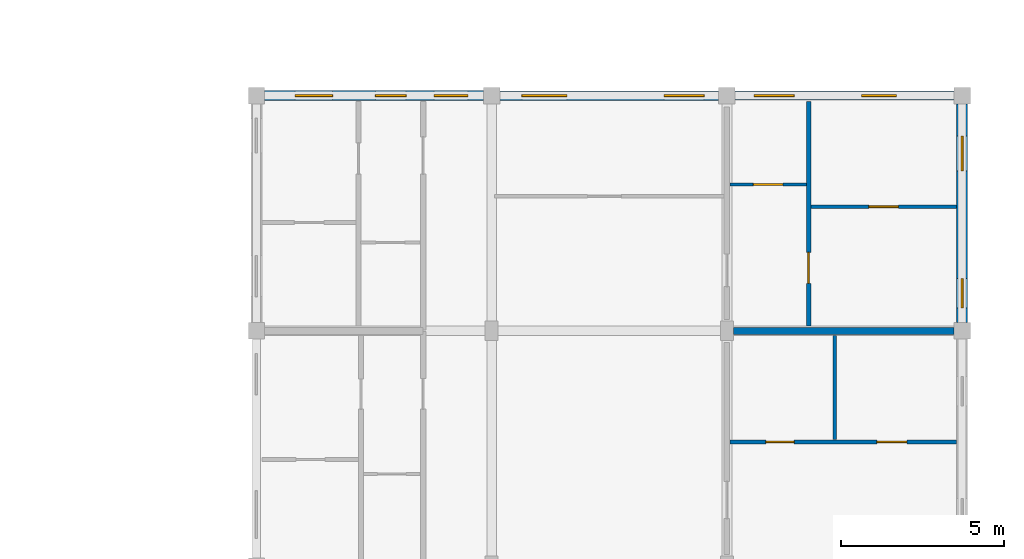
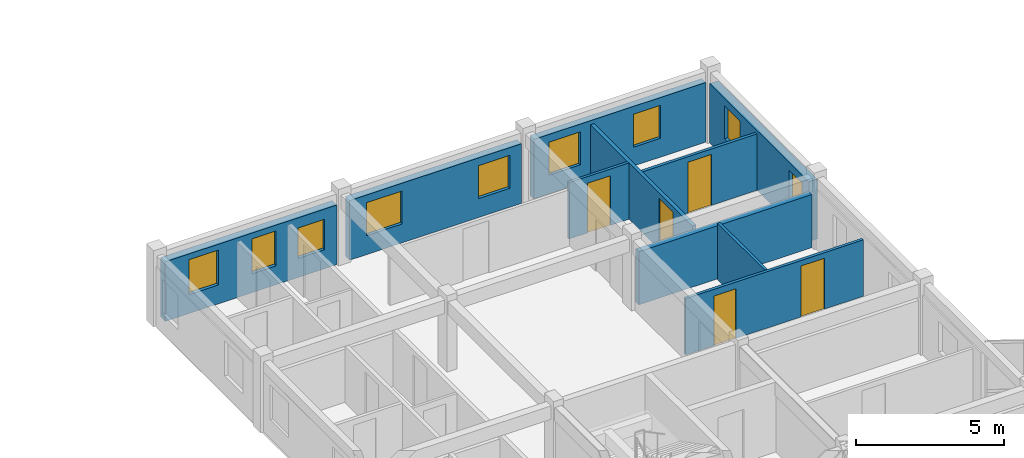
# One storey, part 54 of 65: 10 walls, 9 windows, 5 doors, 14 openings.
"""IFC4 building model written with IfcOpenShell, lengths in metres."""

from ifc_helpers import new_model, si_unit, direction, frame, frame_2d, origin, place, context, subcontext, project, spatial, rectangle, extrude, material, layer, layer_set, type_object, element, fill, save


model = new_model("IFC4")

# Units and contexts
model_context = context("Model", 3, precision=1e-05, world=origin(), true_north=direction((0.0, 1.0)))
body_context = subcontext(model_context, "Body", "Model", "MODEL_VIEW")
ifc_project = project(units=[si_unit("LENGTHUNIT", "METRE"), si_unit("AREAUNIT", "SQUARE_METRE"), si_unit("VOLUMEUNIT", "CUBIC_METRE"), si_unit("PLANEANGLEUNIT", "RADIAN"), si_unit("MASSUNIT", "GRAM", prefix="KILO"), si_unit("THERMODYNAMICTEMPERATUREUNIT", "KELVIN"), si_unit("POWERUNIT", "WATT")], contexts=[model_context])

# Site, building, storey
site_placement = place(None, origin())
site = spatial("IfcSite", under=ifc_project, at=site_placement, CompositionType="ELEMENT")
building_placement = place(site_placement, origin())
building = spatial("IfcBuilding", under=site, at=building_placement, Name="Tavuni Mirador Residences", CompositionType="ELEMENT")
storey_placement = place(building_placement, frame((0.0, 0.0, 29.699951171875)))
storey = spatial("IfcBuildingStorey", under=building, at=storey_placement, Name="L09", CompositionType="ELEMENT", Elevation=29.699951171875)

# Wall, openings, windows
ifc_material_1 = material(Name="Precast concrete C40/50", Category="concrete")
ifc_layer_1 = layer(ifc_material_1, 0.330078125, Name="Precast concrete C40/50", Category="concrete")
ifc_layer_set_1 = layer_set([ifc_layer_1], Name="Precast concrete C40/50")
wall_type_1 = type_object("IfcWallType", Name="WT-EXT-COR330", PredefinedType="SOLIDWALL", material=ifc_layer_set_1)
wall_1_placement = place(storey_placement, frame((118.800048828125, 122.64990234375, 0.0), z_axis=(0.0, 0.0, 1.0), x_axis=(0.0, 1.0, 0.0)))
wall_1 = element("IfcWall", 1, at=wall_1_placement, inside=storey, type_object=wall_type_1, Name="EW-BLK-D-L09-E05", PredefinedType="SOLIDWALL", context=body_context, shape_type="SweptSolid", body=[
    extrude(rectangle(XDim=6.7001953125, YDim=0.330078125, at=frame_2d((3.35009765625, 0.0))), origin(), (0.0, 0.0, 1.0), 2.4599609375),
])
opening_1_placement = place(wall_1_placement, frame((0.449951171875, 0.0, 0.780029296875)))
opening_1 = element("IfcOpeningElement", 2, at=opening_1_placement, cuts=wall_1, Name="Opening WN-17", PredefinedType="OPENING", context=body_context, shape_type="SweptSolid", body=[
    extrude(rectangle(XDim=0.89990234375, YDim=1.360107421875, at=frame_2d((0.449951171875, 0.68017578125))), frame((0.0, 0.175048828125, 0.0), z_axis=(0.0, -1.0, 0.0), x_axis=(1.0, 0.0, 0.0)), (0.0, 0.0, 1.0), 0.35009765625),
])
opening_2_placement = place(wall_1_placement, frame((4.64990234375, 0.0, 0.780029296875)))
opening_2 = element("IfcOpeningElement", 3, at=opening_2_placement, cuts=wall_1, Name="Opening WN-19", PredefinedType="OPENING", context=body_context, shape_type="SweptSolid", body=[
    extrude(rectangle(XDim=1.06005859375, YDim=1.360107421875, at=frame_2d((0.530029296875, 0.68017578125))), frame((0.0, 0.175048828125, 0.0), z_axis=(0.0, -1.0, 0.0), x_axis=(1.0, 0.0, 0.0)), (0.0, 0.0, 1.0), 0.35009765625),
])
ifc_material_2 = material(Name="Laminated solar-control glass", Category="glass")
window_type_1 = type_object("IfcWindowType", Name="WNT-17", PartitioningType="SINGLE_PANEL", PredefinedType="WINDOW", material=ifc_material_2)
window_1_placement = place(opening_1_placement, origin())
window_1 = element("IfcWindow", 4, at=window_1_placement, inside=storey, type_object=window_type_1, Name="WIN-1777", OverallHeight=1.360107421875, OverallWidth=0.89990234375, PartitioningType="SINGLE_PANEL", PredefinedType="WINDOW", context=body_context, shape_type="SweptSolid", body=[
    extrude(rectangle(XDim=0.89990234375, YDim=1.360107421875, at=frame_2d((0.449951171875, 0.68017578125))), frame((0.0, 0.030029296875, 0.0), z_axis=(0.0, -1.0, 0.0), x_axis=(1.0, 0.0, 0.0)), (0.0, 0.0, 1.0), 0.06005859375),
])
fill(opening_1, window_1)
window_type_2 = type_object("IfcWindowType", Name="WNT-19", PartitioningType="SINGLE_PANEL", PredefinedType="WINDOW", material=ifc_material_2)
window_2_placement = place(opening_2_placement, origin())
window_2 = element("IfcWindow", 5, at=window_2_placement, inside=storey, type_object=window_type_2, Name="WIN-1778", OverallHeight=1.360107421875, OverallWidth=1.06005859375, PartitioningType="SINGLE_PANEL", PredefinedType="WINDOW", context=body_context, shape_type="SweptSolid", body=[
    extrude(rectangle(XDim=1.06005859375, YDim=1.360107421875, at=frame_2d((0.530029296875, 0.68017578125))), frame((0.0, 0.030029296875, 0.0), z_axis=(0.0, -1.0, 0.0), x_axis=(1.0, 0.0, 0.0)), (0.0, 0.0, 1.0), 0.06005859375),
])
fill(opening_2, window_2)

ifc_material_3 = material(Name="Sgraffito lime-rendered precast concrete C40/50", Category="concrete")
ifc_layer_2 = layer(ifc_material_3, 0.27490234375, Name="Sgraffito lime-rendered precast concrete C40/50", Category="concrete")
ifc_layer_set_2 = layer_set([ifc_layer_2], Name="Sgraffito lime-rendered precast concrete C40/50")
wall_type_2 = type_object("IfcWallType", Name="WT-EXT-PC275", PredefinedType="SOLIDWALL", material=ifc_layer_set_2)
wall_2_placement = place(storey_placement, frame((118.550048828125, 129.60009765625, 0.0), z_axis=(0.0, 0.0, 1.0), x_axis=(-1.0, 0.0, 0.0)))
wall_2 = element("IfcWall", 6, at=wall_2_placement, inside=storey, type_object=wall_type_2, Name="EW-BLK-D-L09-N02", PredefinedType="SOLIDWALL", context=body_context, shape_type="SweptSolid", body=[
    extrude(rectangle(XDim=6.699951171875, YDim=0.27490234375, at=frame_2d((3.35009765625, 0.0))), origin(), (0.0, 0.0, 1.0), 2.4599609375),
])
opening_3_placement = place(wall_2_placement, frame((1.764892578125, 0.0, 0.780029296875)))
opening_3 = element("IfcOpeningElement", 7, at=opening_3_placement, cuts=wall_2, Name="Opening WN-19", PredefinedType="OPENING", context=body_context, shape_type="SweptSolid", body=[
    extrude(rectangle(XDim=1.06005859375, YDim=1.360107421875, at=frame_2d((0.530029296875, 0.68017578125))), frame((0.0, 0.1474609375, 0.0), z_axis=(0.0, -1.0, 0.0), x_axis=(1.0, 0.0, 0.0)), (0.0, 0.0, 1.0), 0.294921875),
])
opening_4_placement = place(wall_2_placement, frame((4.89501953125, 0.0, 0.780029296875)))
opening_4 = element("IfcOpeningElement", 8, at=opening_4_placement, cuts=wall_2, Name="Opening WN-21", PredefinedType="OPENING", context=body_context, shape_type="SweptSolid", body=[
    extrude(rectangle(XDim=1.219970703125, YDim=1.360107421875, at=frame_2d((0.60986328125, 0.68017578125))), frame((0.0, 0.1474609375, 0.0), z_axis=(0.0, -1.0, 0.0), x_axis=(1.0, 0.0, 0.0)), (0.0, 0.0, 1.0), 0.294921875),
])
window_3_placement = place(opening_3_placement, origin())
window_3 = element("IfcWindow", 9, at=window_3_placement, inside=storey, type_object=window_type_2, Name="WIN-1779", OverallHeight=1.360107421875, OverallWidth=1.06005859375, PartitioningType="SINGLE_PANEL", PredefinedType="WINDOW", context=body_context, shape_type="SweptSolid", body=[
    extrude(rectangle(XDim=1.06005859375, YDim=1.360107421875, at=frame_2d((0.530029296875, 0.68017578125))), frame((0.0, 0.030029296875, 0.0), z_axis=(0.0, -1.0, 0.0), x_axis=(1.0, 0.0, 0.0)), (0.0, 0.0, 1.0), 0.06005859375),
])
fill(opening_3, window_3)
window_type_3 = type_object("IfcWindowType", Name="WNT-21", PartitioningType="SINGLE_PANEL", PredefinedType="WINDOW", material=ifc_material_2)
window_4_placement = place(opening_4_placement, origin())
window_4 = element("IfcWindow", 10, at=window_4_placement, inside=storey, type_object=window_type_3, Name="WIN-1780", OverallHeight=1.360107421875, OverallWidth=1.219970703125, PartitioningType="SINGLE_PANEL", PredefinedType="WINDOW", context=body_context, shape_type="SweptSolid", body=[
    extrude(rectangle(XDim=1.219970703125, YDim=1.360107421875, at=frame_2d((0.60986328125, 0.68017578125))), frame((0.0, 0.030029296875, 0.0), z_axis=(0.0, -1.0, 0.0), x_axis=(1.0, 0.0, 0.0)), (0.0, 0.0, 1.0), 0.06005859375),
])
fill(opening_4, window_4)

ifc_layer_3 = layer(ifc_material_3, 0.2900390625, Name="Sgraffito lime-rendered precast concrete C40/50", Category="concrete")
ifc_layer_set_3 = layer_set([ifc_layer_3], Name="Sgraffito lime-rendered precast concrete C40/50")
wall_type_3 = type_object("IfcWallType", Name="WT-EXT-PC290", PredefinedType="SOLIDWALL", material=ifc_layer_set_3)
wall_3_placement = place(storey_placement, frame((111.35009765625, 129.60009765625, 0.0), z_axis=(0.0, 0.0, 1.0), x_axis=(-1.0, 0.0, 0.0)))
wall_3 = element("IfcWall", 11, at=wall_3_placement, inside=storey, type_object=wall_type_3, Name="EW-BLK-D-L09-N01", PredefinedType="SOLIDWALL", context=body_context, shape_type="SweptSolid", body=[
    extrude(rectangle(XDim=6.7001953125, YDim=0.2900390625, at=frame_2d((3.35009765625, 0.0))), origin(), (0.0, 0.0, 1.0), 2.4599609375),
])
opening_5_placement = place(wall_3_placement, frame((0.449951171875, 0.0, 0.780029296875)))
opening_5 = element("IfcOpeningElement", 12, at=opening_5_placement, cuts=wall_3, Name="Opening WN-21", PredefinedType="OPENING", context=body_context, shape_type="SweptSolid", body=[
    extrude(rectangle(XDim=1.219970703125, YDim=1.360107421875, at=frame_2d((0.60986328125, 0.68017578125))), frame((0.0, 0.155029296875, 0.0), z_axis=(0.0, -1.0, 0.0), x_axis=(1.0, 0.0, 0.0)), (0.0, 0.0, 1.0), 0.31005859375),
])
opening_6_placement = place(wall_3_placement, frame((4.64990234375, 0.0, 0.780029296875)))
opening_6 = element("IfcOpeningElement", 13, at=opening_6_placement, cuts=wall_3, Name="Opening WN-23", PredefinedType="OPENING", context=body_context, shape_type="SweptSolid", body=[
    extrude(rectangle(XDim=1.3798828125, YDim=1.360107421875, at=frame_2d((0.68994140625, 0.68017578125))), frame((0.0, 0.155029296875, 0.0), z_axis=(0.0, -1.0, 0.0), x_axis=(1.0, 0.0, 0.0)), (0.0, 0.0, 1.0), 0.31005859375),
])
window_5_placement = place(opening_5_placement, origin())
window_5 = element("IfcWindow", 14, at=window_5_placement, inside=storey, type_object=window_type_3, Name="WIN-1781", OverallHeight=1.360107421875, OverallWidth=1.219970703125, PartitioningType="SINGLE_PANEL", PredefinedType="WINDOW", context=body_context, shape_type="SweptSolid", body=[
    extrude(rectangle(XDim=1.219970703125, YDim=1.360107421875, at=frame_2d((0.60986328125, 0.68017578125))), frame((0.0, 0.030029296875, 0.0), z_axis=(0.0, -1.0, 0.0), x_axis=(1.0, 0.0, 0.0)), (0.0, 0.0, 1.0), 0.06005859375),
])
fill(opening_5, window_5)
window_type_4 = type_object("IfcWindowType", Name="WNT-23", PartitioningType="SINGLE_PANEL", PredefinedType="WINDOW", material=ifc_material_2)
window_6_placement = place(opening_6_placement, origin())
window_6 = element("IfcWindow", 15, at=window_6_placement, inside=storey, type_object=window_type_4, Name="WIN-1782", OverallHeight=1.360107421875, OverallWidth=1.3798828125, PartitioningType="SINGLE_PANEL", PredefinedType="WINDOW", context=body_context, shape_type="SweptSolid", body=[
    extrude(rectangle(XDim=1.3798828125, YDim=1.360107421875, at=frame_2d((0.68994140625, 0.68017578125))), frame((0.0, 0.030029296875, 0.0), z_axis=(0.0, -1.0, 0.0), x_axis=(1.0, 0.0, 0.0)), (0.0, 0.0, 1.0), 0.06005859375),
])
fill(opening_6, window_6)

ifc_layer_4 = layer(ifc_material_3, 0.304931640625, Name="Sgraffito lime-rendered precast concrete C40/50", Category="concrete")
ifc_layer_set_4 = layer_set([ifc_layer_4], Name="Sgraffito lime-rendered precast concrete C40/50")
wall_type_4 = type_object("IfcWallType", Name="WT-EXT-PC305", PredefinedType="SOLIDWALL", material=ifc_layer_set_4)
wall_4_placement = place(storey_placement, frame((104.14990234375, 129.60009765625, 0.0), z_axis=(0.0, 0.0, 1.0), x_axis=(-1.0, 0.0, 0.0)))
wall_4 = element("IfcWall", 16, at=wall_4_placement, inside=storey, type_object=wall_type_4, Name="EW-BLK-D-L09-N00", PredefinedType="SOLIDWALL", context=body_context, shape_type="SweptSolid", body=[
    extrude(rectangle(XDim=6.699951171875, YDim=0.304931640625, at=frame_2d((3.35009765625, 0.0))), origin(), (0.0, 0.0, 1.0), 2.4599609375),
])
opening_7_placement = place(wall_4_placement, frame((0.47509765625, 0.0, 0.780029296875)))
opening_7 = element("IfcOpeningElement", 17, at=opening_7_placement, cuts=wall_4, Name="Opening WN-11", PredefinedType="OPENING", context=body_context, shape_type="SweptSolid", body=[
    extrude(rectangle(XDim=1.0400390625, YDim=1.260009765625, at=frame_2d((0.52001953125, 0.6298828125))), frame((0.0, 0.16259765625, 0.0), z_axis=(0.0, -1.0, 0.0), x_axis=(1.0, 0.0, 0.0)), (0.0, 0.0, 1.0), 0.324951171875),
])
opening_8_placement = place(wall_4_placement, frame((2.3701171875, 0.0, 0.780029296875)))
opening_8 = element("IfcOpeningElement", 18, at=opening_8_placement, cuts=wall_4, Name="Opening WN-25", PredefinedType="OPENING", context=body_context, shape_type="SweptSolid", body=[
    extrude(rectangle(XDim=0.93994140625, YDim=1.43994140625, at=frame_2d((0.469970703125, 0.719970703125))), frame((0.0, 0.16259765625, 0.0), z_axis=(0.0, -1.0, 0.0), x_axis=(1.0, 0.0, 0.0)), (0.0, 0.0, 1.0), 0.324951171875),
])
opening_9_placement = place(wall_4_placement, frame((4.6201171875, 0.0, 0.780029296875)))
opening_9 = element("IfcOpeningElement", 19, at=opening_9_placement, cuts=wall_4, Name="Opening WN-27", PredefinedType="OPENING", context=body_context, shape_type="SweptSolid", body=[
    extrude(rectangle(XDim=1.14990234375, YDim=1.43994140625, at=frame_2d((0.574951171875, 0.719970703125))), frame((0.0, 0.16259765625, 0.0), z_axis=(0.0, -1.0, 0.0), x_axis=(1.0, 0.0, 0.0)), (0.0, 0.0, 1.0), 0.324951171875),
])
window_type_5 = type_object("IfcWindowType", Name="WNT-11", PartitioningType="SINGLE_PANEL", PredefinedType="WINDOW", material=ifc_material_2)
window_7_placement = place(opening_7_placement, origin())
window_7 = element("IfcWindow", 20, at=window_7_placement, inside=storey, type_object=window_type_5, Name="WIN-1783", OverallHeight=1.260009765625, OverallWidth=1.0400390625, PartitioningType="SINGLE_PANEL", PredefinedType="WINDOW", context=body_context, shape_type="SweptSolid", body=[
    extrude(rectangle(XDim=1.0400390625, YDim=1.260009765625, at=frame_2d((0.52001953125, 0.6298828125))), frame((0.0, 0.030029296875, 0.0), z_axis=(0.0, -1.0, 0.0), x_axis=(1.0, 0.0, 0.0)), (0.0, 0.0, 1.0), 0.06005859375),
])
fill(opening_7, window_7)
window_type_6 = type_object("IfcWindowType", Name="WNT-25", PartitioningType="SINGLE_PANEL", PredefinedType="WINDOW", material=ifc_material_2)
window_8_placement = place(opening_8_placement, origin())
window_8 = element("IfcWindow", 21, at=window_8_placement, inside=storey, type_object=window_type_6, Name="WIN-1784", OverallHeight=1.43994140625, OverallWidth=0.93994140625, PartitioningType="SINGLE_PANEL", PredefinedType="WINDOW", context=body_context, shape_type="SweptSolid", body=[
    extrude(rectangle(XDim=0.93994140625, YDim=1.43994140625, at=frame_2d((0.469970703125, 0.719970703125))), frame((0.0, 0.030029296875, 0.0), z_axis=(0.0, -1.0, 0.0), x_axis=(1.0, 0.0, 0.0)), (0.0, 0.0, 1.0), 0.06005859375),
])
fill(opening_8, window_8)
window_type_7 = type_object("IfcWindowType", Name="WNT-27", PartitioningType="SINGLE_PANEL", PredefinedType="WINDOW", material=ifc_material_2)
window_9_placement = place(opening_9_placement, origin())
window_9 = element("IfcWindow", 22, at=window_9_placement, inside=storey, type_object=window_type_7, Name="WIN-1785", OverallHeight=1.43994140625, OverallWidth=1.14990234375, PartitioningType="SINGLE_PANEL", PredefinedType="WINDOW", context=body_context, shape_type="SweptSolid", body=[
    extrude(rectangle(XDim=1.14990234375, YDim=1.43994140625, at=frame_2d((0.574951171875, 0.719970703125))), frame((0.0, 0.030029296875, 0.0), z_axis=(0.0, -1.0, 0.0), x_axis=(1.0, 0.0, 0.0)), (0.0, 0.0, 1.0), 0.06005859375),
])
fill(opening_9, window_9)

# Wall
ifc_material_4 = material(Name="Acoustic gypsum and concrete block partition", Category="concrete")
ifc_layer_5 = layer(ifc_material_4, 0.10498046875, Name="Acoustic gypsum and concrete block partition", Category="concrete")
ifc_layer_set_5 = layer_set([ifc_layer_5], Name="Acoustic gypsum and concrete block partition")
wall_type_5 = type_object("IfcWallType", Name="WT-PART105", PredefinedType="PARTITIONING", material=ifc_layer_set_5)
wall_5_placement = place(storey_placement, frame((114.89990234375, 119.070068359375, 0.0), z_axis=(0.0, 0.0, 1.0), x_axis=(0.0, 1.0, 0.0)))
element("IfcWall", 23, at=wall_5_placement, inside=storey, type_object=wall_type_5, Name="PW-BLK-D-L09-PF04-V", PredefinedType="PARTITIONING", context=body_context, shape_type="SweptSolid", body=[
    extrude(rectangle(XDim=3.18994140625, YDim=0.10498046875, at=frame_2d((1.594970703125, 0.0))), origin(), (0.0, 0.0, 1.0), 2.324951171875),
])

# Wall, opening, door
wall_6_placement = place(storey_placement, frame((111.68994140625, 126.8798828125, 0.0), z_axis=(0.0, 0.0, 1.0), x_axis=(1.0, 0.0, 0.0)))
wall_6 = element("IfcWall", 24, at=wall_6_placement, inside=storey, type_object=wall_type_5, Name="PW-BLK-D-L09-E05-IN1", PredefinedType="PARTITIONING", context=body_context, shape_type="SweptSolid", body=[
    extrude(rectangle(XDim=2.340087890625, YDim=0.10498046875, at=frame_2d((1.169921875, 0.0))), origin(), (0.0, 0.0, 1.0), 2.324951171875),
])
opening_10_placement = place(wall_6_placement, frame((0.719970703125, 0.0, 0.0)))
opening_10 = element("IfcOpeningElement", 25, at=opening_10_placement, cuts=wall_6, Name="Opening D-09", PredefinedType="OPENING", context=body_context, shape_type="SweptSolid", body=[
    extrude(rectangle(XDim=0.89990234375, YDim=2.050048828125, at=frame_2d((0.449951171875, 1.02490234375))), frame((0.0, 0.0625, 0.0), z_axis=(0.0, -1.0, 0.0), x_axis=(1.0, 0.0, 0.0)), (0.0, 0.0, 1.0), 0.125),
])
ifc_material_5 = material(Name="Solid core iroko timber", Category="wood")
door_type_1 = type_object("IfcDoorType", Name="DT-WC900", OperationType="NOTDEFINED", PredefinedType="DOOR", material=ifc_material_5)
door_1_placement = place(opening_10_placement, origin())
door_1 = element("IfcDoor", 26, at=door_1_placement, inside=storey, type_object=door_type_1, Name="DR-4644", OperationType="SINGLE_SWING_RIGHT", OverallHeight=2.050048828125, OverallWidth=0.89990234375, PredefinedType="DOOR", context=body_context, shape_type="SweptSolid", body=[
    extrude(rectangle(XDim=0.89990234375, YDim=2.050048828125, at=frame_2d((0.449951171875, 1.02490234375))), frame((0.0, 0.02490234375, 0.0), z_axis=(0.0, -1.0, 0.0), x_axis=(1.0, 0.0, 0.0)), (0.0, 0.0, 1.0), 0.050048828125),
])
fill(opening_10, door_1)

# Wall, openings, doors
ifc_layer_6 = layer(ifc_material_4, 0.114990234375, Name="Acoustic gypsum and concrete block partition", Category="concrete")
ifc_layer_set_6 = layer_set([ifc_layer_6], Name="Acoustic gypsum and concrete block partition")
wall_type_6 = type_object("IfcWallType", Name="WT-PART115", PredefinedType="PARTITIONING", material=ifc_layer_set_6)
wall_7_placement = place(storey_placement, frame((111.68994140625, 119.0, 0.0), z_axis=(0.0, 0.0, 1.0), x_axis=(1.0, 0.0, 0.0)))
wall_7 = element("IfcWall", 27, at=wall_7_placement, inside=storey, type_object=wall_type_6, Name="PW-BLK-D-L09-PF04-H", PredefinedType="PARTITIONING", context=body_context, shape_type="SweptSolid", body=[
    extrude(rectangle(XDim=6.93505859375, YDim=0.114990234375, at=frame_2d((3.467529296875, 0.0))), origin(), (0.0, 0.0, 1.0), 2.324951171875),
])
opening_11_placement = place(wall_7_placement, frame((1.10009765625, 0.0, 0.0)))
opening_11 = element("IfcOpeningElement", 28, at=opening_11_placement, cuts=wall_7, Name="Opening D-10", PredefinedType="OPENING", context=body_context, shape_type="SweptSolid", body=[
    extrude(rectangle(XDim=0.8701171875, YDim=2.050048828125, at=frame_2d((0.43505859375, 1.02490234375))), frame((0.0, 0.0673828125, 0.0), z_axis=(0.0, -1.0, 0.0), x_axis=(1.0, 0.0, 0.0)), (0.0, 0.0, 1.0), 0.135009765625),
])
opening_12_placement = place(wall_7_placement, frame((4.5, 0.0, 0.0)))
opening_12 = element("IfcOpeningElement", 29, at=opening_12_placement, cuts=wall_7, Name="Opening D-06", PredefinedType="OPENING", context=body_context, shape_type="SweptSolid", body=[
    extrude(rectangle(XDim=0.919921875, YDim=2.10009765625, at=frame_2d((0.4599609375, 1.050048828125))), frame((0.0, 0.0673828125, 0.0), z_axis=(0.0, -1.0, 0.0), x_axis=(1.0, 0.0, 0.0)), (0.0, 0.0, 1.0), 0.135009765625),
])
door_type_2 = type_object("IfcDoorType", Name="DT-INT920", OperationType="NOTDEFINED", PredefinedType="DOOR", material=ifc_material_5)
door_2_placement = place(opening_12_placement, origin())
door_2 = element("IfcDoor", 30, at=door_2_placement, inside=storey, type_object=door_type_2, Name="DR-4638", OperationType="SINGLE_SWING_RIGHT", OverallHeight=2.10009765625, OverallWidth=0.919921875, PredefinedType="DOOR", context=body_context, shape_type="SweptSolid", body=[
    extrude(rectangle(XDim=0.919921875, YDim=2.10009765625, at=frame_2d((0.4599609375, 1.050048828125))), frame((0.0, 0.02490234375, 0.0), z_axis=(0.0, -1.0, 0.0), x_axis=(1.0, 0.0, 0.0)), (0.0, 0.0, 1.0), 0.050048828125),
])
fill(opening_12, door_2)
door_type_3 = type_object("IfcDoorType", Name="DT-WC870", OperationType="NOTDEFINED", PredefinedType="DOOR", material=ifc_material_5)
door_3_placement = place(opening_11_placement, origin())
door_3 = element("IfcDoor", 31, at=door_3_placement, inside=storey, type_object=door_type_3, Name="DR-4637", OperationType="SINGLE_SWING_LEFT", OverallHeight=2.050048828125, OverallWidth=0.8701171875, PredefinedType="DOOR", context=body_context, shape_type="SweptSolid", body=[
    extrude(rectangle(XDim=0.8701171875, YDim=2.050048828125, at=frame_2d((0.43505859375, 1.02490234375))), frame((0.0, 0.02490234375, 0.0), z_axis=(0.0, -1.0, 0.0), x_axis=(1.0, 0.0, 0.0)), (0.0, 0.0, 1.0), 0.050048828125),
])
fill(opening_11, door_3)

# Wall, opening, door
wall_8_placement = place(storey_placement, frame((114.169921875, 126.199951171875, 0.0), z_axis=(0.0, 0.0, 1.0), x_axis=(1.0, 0.0, 0.0)))
wall_8 = element("IfcWall", 32, at=wall_8_placement, inside=storey, type_object=wall_type_6, Name="PW-BLK-D-L09-E05-OUT", PredefinedType="PARTITIONING", context=body_context, shape_type="SweptSolid", body=[
    extrude(rectangle(XDim=4.455078125, YDim=0.114990234375, at=frame_2d((2.2275390625, 0.0))), origin(), (0.0, 0.0, 1.0), 2.324951171875),
])
opening_13_placement = place(wall_8_placement, frame((1.777587890625, 0.0, 0.0)))
opening_13 = element("IfcOpeningElement", 33, at=opening_13_placement, cuts=wall_8, Name="Opening D-07", PredefinedType="OPENING", context=body_context, shape_type="SweptSolid", body=[
    extrude(rectangle(XDim=0.89990234375, YDim=2.10009765625, at=frame_2d((0.449951171875, 1.050048828125))), frame((0.0, 0.0673828125, 0.0), z_axis=(0.0, -1.0, 0.0), x_axis=(1.0, 0.0, 0.0)), (0.0, 0.0, 1.0), 0.135009765625),
])
door_type_4 = type_object("IfcDoorType", Name="DT-BED900", OperationType="NOTDEFINED", PredefinedType="DOOR", material=ifc_material_5)
door_4_placement = place(opening_13_placement, origin())
door_4 = element("IfcDoor", 34, at=door_4_placement, inside=storey, type_object=door_type_4, Name="DR-4643", OperationType="SINGLE_SWING_LEFT", OverallHeight=2.10009765625, OverallWidth=0.89990234375, PredefinedType="DOOR", context=body_context, shape_type="SweptSolid", body=[
    extrude(rectangle(XDim=0.89990234375, YDim=2.10009765625, at=frame_2d((0.449951171875, 1.050048828125))), frame((0.0, 0.02490234375, 0.0), z_axis=(0.0, -1.0, 0.0), x_axis=(1.0, 0.0, 0.0)), (0.0, 0.0, 1.0), 0.050048828125),
])
fill(opening_13, door_4)

ifc_layer_7 = layer(ifc_material_4, 0.139892578125, Name="Acoustic gypsum and concrete block partition", Category="concrete")
ifc_layer_set_7 = layer_set([ifc_layer_7], Name="Acoustic gypsum and concrete block partition")
wall_type_7 = type_object("IfcWallType", Name="WT-PART140", PredefinedType="PARTITIONING", material=ifc_layer_set_7)
wall_9_placement = place(storey_placement, frame((114.10009765625, 122.5400390625, 0.0), z_axis=(0.0, 0.0, 1.0), x_axis=(0.0, 1.0, 0.0)))
wall_9 = element("IfcWall", 35, at=wall_9_placement, inside=storey, type_object=wall_type_7, Name="PW-BLK-D-L09-E05-MID", PredefinedType="PARTITIONING", context=body_context, shape_type="SweptSolid", body=[
    extrude(rectangle(XDim=6.885009765625, YDim=0.139892578125, at=frame_2d((3.4423828125, 0.0))), origin(), (0.0, 0.0, 1.0), 2.324951171875),
])
opening_14_placement = place(wall_9_placement, frame((1.31005859375, 0.0, 0.0)))
opening_14 = element("IfcOpeningElement", 36, at=opening_14_placement, cuts=wall_9, Name="Opening D-05", PredefinedType="OPENING", context=body_context, shape_type="SweptSolid", body=[
    extrude(rectangle(XDim=0.949951171875, YDim=2.10009765625, at=frame_2d((0.47509765625, 1.050048828125))), frame((0.0, 0.080078125, 0.0), z_axis=(0.0, -1.0, 0.0), x_axis=(1.0, 0.0, 0.0)), (0.0, 0.0, 1.0), 0.159912109375),
])
door_type_5 = type_object("IfcDoorType", Name="DT-INT950", OperationType="NOTDEFINED", PredefinedType="DOOR", material=ifc_material_5)
door_5_placement = place(opening_14_placement, origin())
door_5 = element("IfcDoor", 37, at=door_5_placement, inside=storey, type_object=door_type_5, Name="DR-4645", OperationType="SINGLE_SWING_LEFT", OverallHeight=2.10009765625, OverallWidth=0.949951171875, PredefinedType="DOOR", context=body_context, shape_type="SweptSolid", body=[
    extrude(rectangle(XDim=0.949951171875, YDim=2.10009765625, at=frame_2d((0.47509765625, 1.050048828125))), frame((0.0, 0.02490234375, 0.0), z_axis=(0.0, -1.0, 0.0), x_axis=(1.0, 0.0, 0.0)), (0.0, 0.0, 1.0), 0.050048828125),
])
fill(opening_14, door_5)

# Wall
ifc_layer_8 = layer(ifc_material_1, 0.215087890625, Name="Precast concrete C40/50", Category="concrete")
ifc_layer_set_8 = layer_set([ifc_layer_8], Name="Precast concrete C40/50")
wall_type_8 = type_object("IfcWallType", Name="WT-XW215", PredefinedType="SOLIDWALL", material=ifc_layer_set_8)
wall_10_placement = place(storey_placement, frame((111.800048828125, 122.39990234375, 0.0), z_axis=(0.0, 0.0, 1.0), x_axis=(1.0, 0.0, 0.0)))
element("IfcWall", 38, at=wall_10_placement, inside=storey, type_object=wall_type_8, Name="XW-BLK-D-L09-E-05", PredefinedType="SOLIDWALL", context=body_context, shape_type="SweptSolid", body=[
    extrude(rectangle(XDim=6.75, YDim=0.215087890625, at=frame_2d((3.375, 0.0))), origin(), (0.0, 0.0, 1.0), 2.18994140625),
])

save(model, "model.ifc")
